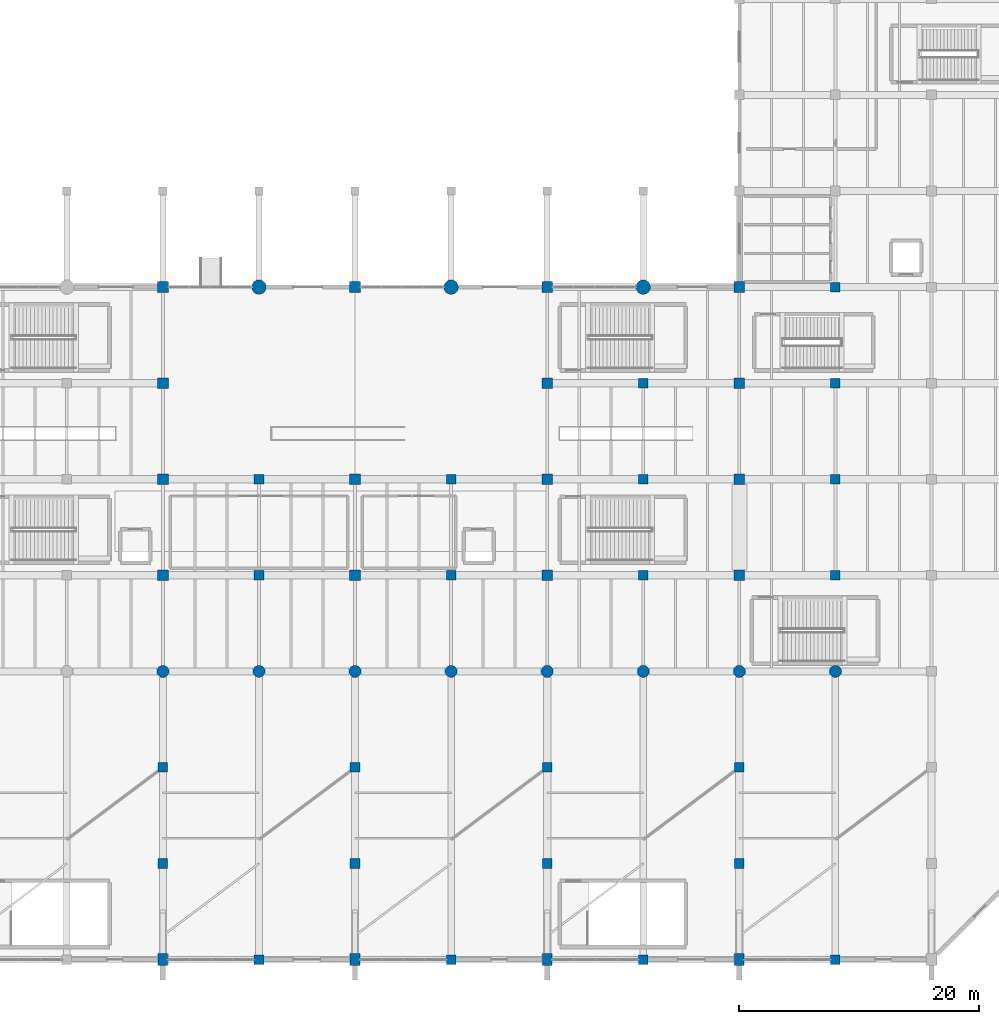
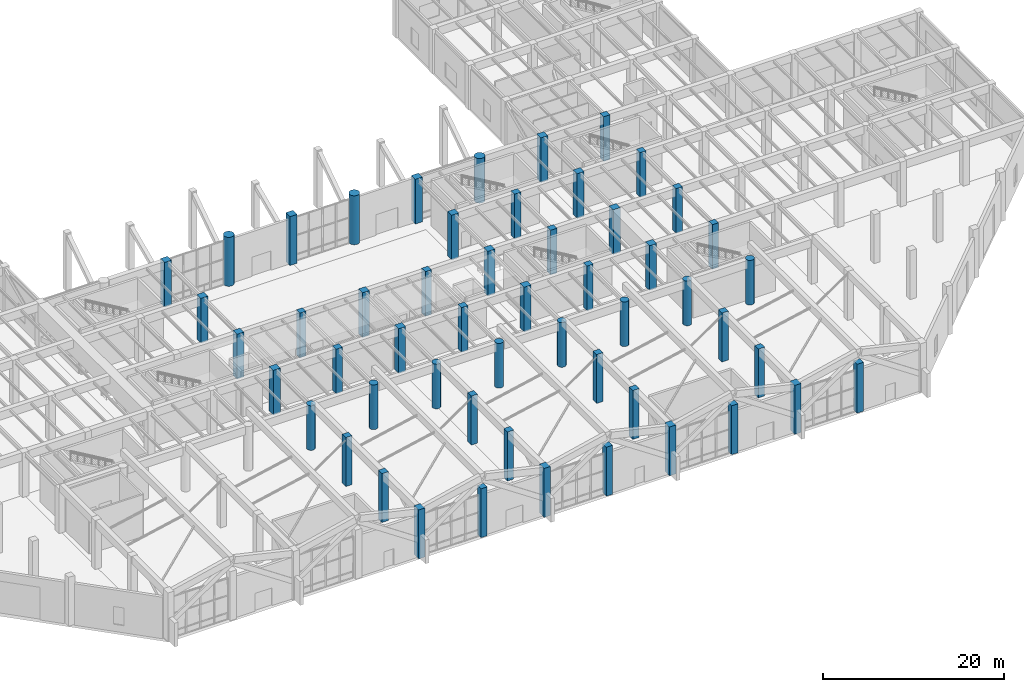
# One storey, part 3 of 51: 53 columns.
"""IFC4 building model written with IfcOpenShell, lengths in metres."""

from ifc_helpers import new_model, si_unit, direction, frame, origin, origin_2d, place, context, subcontext, project, spatial, rectangle, circle, extrude, material, material_profile, profile_set, type_object, element, save


model = new_model("IFC4")

# Units and contexts
model_context = context("Model", 3, precision=1e-05, world=origin(), true_north=direction((0.0, 1.0)))
body_context = subcontext(model_context, "Body", "Model", "MODEL_VIEW")
ifc_project = project(units=[si_unit("LENGTHUNIT", "METRE"), si_unit("AREAUNIT", "SQUARE_METRE"), si_unit("VOLUMEUNIT", "CUBIC_METRE"), si_unit("PLANEANGLEUNIT", "RADIAN"), si_unit("MASSUNIT", "GRAM", prefix="KILO")], contexts=[model_context])

# Site, building, storey
site_placement = place(None, origin())
site = spatial("IfcSite", under=ifc_project, at=site_placement, CompositionType="ELEMENT")
building_placement = place(site_placement, origin())
building = spatial("IfcBuilding", under=site, at=building_placement, Name="Varnela Railside Interchange", CompositionType="ELEMENT")
storey_placement = place(building_placement, origin())
storey = spatial("IfcBuildingStorey", under=building, at=storey_placement, Name="L00", CompositionType="ELEMENT", Elevation=0.0)

# Columns
ifc_material = material(Name="Concrete C50", Category="concrete")
ifc_material_profile_1 = material_profile(ifc_material, rectangle(XDim=0.800048828125, YDim=1.0, at=origin_2d()), Name="RC 800x1000")
ifc_profile_set_1 = profile_set([ifc_material_profile_1], Name="Concrete C50")
column_type_1 = type_object("IfcColumnType", Name="Bus Canopy Pier Column C-04", PredefinedType="COLUMN", material=ifc_profile_set_1)
for number, where, z_axis, x_axis, name in (
    (1, (68.0, 6.0, 0.0), (0.0, 0.0, 1.0), (1.0, 0.0, 0.0), "Column C-04 (L00) (CL-0560)"),
    (2, (84.0, 6.0, 0.0), (0.0, 0.0, 1.0), (1.0, 0.0, 0.0), "Column C-04 (L00) (CL-0400)"),
    (3, (100.0, 6.0, 0.0), (0.0, 0.0, 1.0), (1.0, 0.0, 0.0), "Column C-04 (L00) (CL-0412)"),
    (4, (116.0, 6.0, 0.0), (0.0, 0.0, 1.0), (1.0, 0.0, 0.0), "Column C-04 (L00) (CL-0426)"),
):
    element("IfcColumn", number, at=place(storey_placement, frame(where, z_axis=z_axis, x_axis=x_axis)), inside=storey, type_object=column_type_1, Name=name, PredefinedType="COLUMN", context=body_context, shape_type="SweptSolid", body=[
        extrude(rectangle(XDim=0.800048828125, YDim=1.0, at=origin_2d()), origin(), (0.0, 0.0, 1.0), 6.60009765625),
    ])
ifc_material_profile_2 = material_profile(ifc_material, circle(Radius=0.5, at=origin_2d()), Name="CIRC D1000")
ifc_profile_set_2 = profile_set([ifc_material_profile_2], Name="Concrete C50")
column_type_2 = type_object("IfcColumnType", Name="Bus Island Round Column C-12", PredefinedType="COLUMN", material=ifc_profile_set_2)
for number, where, z_axis, x_axis, name in (
    (5, (68.0, 30.0, 0.0), (0.0, 0.0, 1.0), (1.0, 0.0, 0.0), "Column C-12 (L00) (CL-0563)"),
    (6, (76.0, 30.0, 0.0), (0.0, 0.0, 1.0), (1.0, 0.0, 0.0), "Column C-12 (L00) (CL-0396)"),
    (7, (84.0, 30.0, 0.0), (0.0, 0.0, 1.0), (1.0, 0.0, 0.0), "Column C-12 (L00) (CL-0403)"),
    (8, (92.0, 30.0, 0.0), (0.0, 0.0, 1.0), (1.0, 0.0, 0.0), "Column C-12 (L00) (CL-0408)"),
    (9, (100.0, 30.0, 0.0), (0.0, 0.0, 1.0), (1.0, 0.0, 0.0), "Column C-12 (L00) (CL-0415)"),
    (10, (108.0, 30.0, 0.0), (0.0, 0.0, 1.0), (1.0, 0.0, 0.0), "Column C-12 (L00) (CL-0421)"),
    (11, (116.0, 30.0, 0.0), (0.0, 0.0, 1.0), (1.0, 0.0, 0.0), "Column C-12 (L00) (CL-0429)"),
    (12, (124.0, 30.0, 0.0), (0.0, 0.0, 1.0), (1.0, 0.0, 0.0), "Column C-12 (L00) (CL-0439)"),
):
    element("IfcColumn", number, at=place(storey_placement, frame(where, z_axis=z_axis, x_axis=x_axis)), inside=storey, type_object=column_type_2, Name=name, PredefinedType="COLUMN", context=body_context, shape_type="SweptSolid", body=[
        extrude(circle(Radius=0.5, at=origin_2d()), origin(), (0.0, 0.0, 1.0), 6.02001953125),
    ])
ifc_material_profile_3 = material_profile(ifc_material, circle(Radius=0.60009765625, at=origin_2d()), Name="CIRC D1200")
ifc_profile_set_3 = profile_set([ifc_material_profile_3], Name="Concrete C50")
column_type_3 = type_object("IfcColumnType", Name="Concourse Round Column C-13", PredefinedType="COLUMN", material=ifc_profile_set_3)
for number, where, z_axis, x_axis, name in (
    (13, (76.0, 62.0, 0.0), (0.0, 0.0, 1.0), (1.0, 0.0, 0.0), "Column C-13 (L00) (CL-0399)"),
    (14, (92.0, 62.0, 0.0), (0.0, 0.0, 1.0), (1.0, 0.0, 0.0), "Column C-13 (L00) (CL-0411)"),
):
    element("IfcColumn", number, at=place(storey_placement, frame(where, z_axis=z_axis, x_axis=x_axis)), inside=storey, type_object=column_type_3, Name=name, PredefinedType="COLUMN", context=body_context, shape_type="SweptSolid", body=[
        extrude(circle(Radius=0.60009765625, at=origin_2d()), origin(), (0.0, 0.0, 1.0), 6.60009765625),
    ])
column_1_placement = place(storey_placement, frame((108.0, 62.0, 0.0), z_axis=(0.0, 0.0, 1.0), x_axis=(1.0, 0.0, 0.0)))
element("IfcColumn", 15, at=column_1_placement, inside=storey, type_object=column_type_3, Name="Column C-13 (L00) (CL-0425)", PredefinedType="COLUMN", context=body_context, shape_type="SweptSolid", body=[
    extrude(circle(Radius=0.60009765625, at=origin_2d()), origin(), (0.0, 0.0, 1.0), 6.02001953125),
])
ifc_material_profile_4 = material_profile(ifc_material, rectangle(XDim=0.89990234375, YDim=0.89990234375, at=origin_2d()), Name="RC 900x900")
ifc_profile_set_4 = profile_set([ifc_material_profile_4], Name="Concrete C50")
column_type_4 = type_object("IfcColumnType", Name="Plinth Square Column C-05", PredefinedType="COLUMN", material=ifc_profile_set_4)
for number, where, z_axis, x_axis, name in (
    (16, (68.0, 38.0, 0.0), (0.0, 0.0, 1.0), (1.0, 0.0, 0.0), "Column C-05 (L00) (CL-0564)"),
    (17, (68.0, 46.0, 0.0), (0.0, 0.0, 1.0), (1.0, 0.0, 0.0), "Column C-05 (L00) (CL-0565)"),
    (18, (68.0, 54.0, 0.0), (0.0, 0.0, 1.0), (1.0, 0.0, 0.0), "Column C-05 (L00) (CL-0566)"),
    (19, (68.0, 62.0, 0.0), (0.0, 0.0, 1.0), (1.0, 0.0, 0.0), "Column C-05 (L00) (CL-0567)"),
    (20, (84.0, 38.0, 0.0), (0.0, 0.0, 1.0), (1.0, 0.0, 0.0), "Column C-05 (L00) (CL-0404)"),
    (21, (84.0, 46.0, 0.0), (0.0, 0.0, 1.0), (1.0, 0.0, 0.0), "Column C-05 (L00) (CL-0405)"),
):
    element("IfcColumn", number, at=place(storey_placement, frame(where, z_axis=z_axis, x_axis=x_axis)), inside=storey, type_object=column_type_4, Name=name, PredefinedType="COLUMN", context=body_context, shape_type="SweptSolid", body=[
        extrude(rectangle(XDim=0.89990234375, YDim=0.89990234375, at=origin_2d()), origin(), (0.0, 0.0, 1.0), 6.02001953125),
    ])
column_2_placement = place(storey_placement, frame((84.0, 62.0, 0.0), z_axis=(0.0, 0.0, 1.0), x_axis=(1.0, 0.0, 0.0)))
element("IfcColumn", 22, at=column_2_placement, inside=storey, type_object=column_type_4, Name="Column C-05 (L00) (CL-0406)", PredefinedType="COLUMN", context=body_context, shape_type="SweptSolid", body=[
    extrude(rectangle(XDim=0.89990234375, YDim=0.89990234375, at=origin_2d()), origin(), (0.0, 0.0, 1.0), 6.60009765625),
])
for number, where, z_axis, x_axis, name in (
    (23, (100.0, 38.0, 0.0), (0.0, 0.0, 1.0), (1.0, 0.0, 0.0), "Column C-05 (L00) (CL-0416)"),
    (24, (100.0, 46.0, 0.0), (0.0, 0.0, 1.0), (1.0, 0.0, 0.0), "Column C-05 (L00) (CL-0417)"),
    (25, (100.0, 54.0, 0.0), (0.0, 0.0, 1.0), (1.0, 0.0, 0.0), "Column C-05 (L00) (CL-0418)"),
    (26, (100.0, 62.0, 0.0), (0.0, 0.0, 1.0), (1.0, 0.0, 0.0), "Column C-05 (L00) (CL-0419)"),
    (27, (116.0, 38.0, 0.0), (0.0, 0.0, 1.0), (1.0, 0.0, 0.0), "Column C-05 (L00) (CL-0430)"),
    (28, (116.0, 46.0, 0.0), (0.0, 0.0, 1.0), (1.0, 0.0, 0.0), "Column C-05 (L00) (CL-0431)"),
    (29, (116.0, 54.0, 0.0), (0.0, 0.0, 1.0), (1.0, 0.0, 0.0), "Column C-05 (L00) (CL-0432)"),
    (30, (116.0, 62.0, 0.0), (0.0, 0.0, 1.0), (1.0, 0.0, 0.0), "Column C-05 (L00) (CL-0433)"),
):
    element("IfcColumn", number, at=place(storey_placement, frame(where, z_axis=z_axis, x_axis=x_axis)), inside=storey, type_object=column_type_4, Name=name, PredefinedType="COLUMN", context=body_context, shape_type="SweptSolid", body=[
        extrude(rectangle(XDim=0.89990234375, YDim=0.89990234375, at=origin_2d()), origin(), (0.0, 0.0, 1.0), 6.02001953125),
    ])
ifc_material_profile_5 = material_profile(ifc_material, rectangle(XDim=0.800048828125, YDim=0.800048828125, at=origin_2d()), Name="RC 800x800")
ifc_profile_set_5 = profile_set([ifc_material_profile_5], Name="Concrete C50")
column_type_5 = type_object("IfcColumnType", Name="Podium Concourse Column C-03", PredefinedType="COLUMN", material=ifc_profile_set_5)
for number, where, z_axis, x_axis, name in (
    (31, (68.0, 14.0, 0.0), (0.0, 0.0, 1.0), (1.0, 0.0, 0.0), "Column C-03 (L00) (CL-0561)"),
    (32, (68.0, 22.0, 0.0), (0.0, 0.0, 1.0), (1.0, 0.0, 0.0), "Column C-03 (L00) (CL-0562)"),
    (33, (76.0, 6.0, 0.0), (0.0, 0.0, 1.0), (1.0, 0.0, 0.0), "Column C-03 (L00) (CL-0395)"),
):
    element("IfcColumn", number, at=place(storey_placement, frame(where, z_axis=z_axis, x_axis=x_axis)), inside=storey, type_object=column_type_5, Name=name, PredefinedType="COLUMN", context=body_context, shape_type="SweptSolid", body=[
        extrude(rectangle(XDim=0.800048828125, YDim=0.800048828125, at=origin_2d()), origin(), (0.0, 0.0, 1.0), 6.60009765625),
    ])
for number, where, z_axis, x_axis, name in (
    (34, (76.0, 38.0, 0.0), (0.0, 0.0, 1.0), (1.0, 0.0, 0.0), "Column C-03 (L00) (CL-0397)"),
    (35, (76.0, 46.0, 0.0), (0.0, 0.0, 1.0), (1.0, 0.0, 0.0), "Column C-03 (L00) (CL-0398)"),
):
    element("IfcColumn", number, at=place(storey_placement, frame(where, z_axis=z_axis, x_axis=x_axis)), inside=storey, type_object=column_type_5, Name=name, PredefinedType="COLUMN", context=body_context, shape_type="SweptSolid", body=[
        extrude(rectangle(XDim=0.800048828125, YDim=0.800048828125, at=origin_2d()), origin(), (0.0, 0.0, 1.0), 6.02001953125),
    ])
for number, where, z_axis, x_axis, name in (
    (36, (84.0, 14.0, 0.0), (0.0, 0.0, 1.0), (1.0, 0.0, 0.0), "Column C-03 (L00) (CL-0401)"),
    (37, (84.0, 22.0, 0.0), (0.0, 0.0, 1.0), (1.0, 0.0, 0.0), "Column C-03 (L00) (CL-0402)"),
    (38, (92.0, 6.0, 0.0), (0.0, 0.0, 1.0), (1.0, 0.0, 0.0), "Column C-03 (L00) (CL-0407)"),
):
    element("IfcColumn", number, at=place(storey_placement, frame(where, z_axis=z_axis, x_axis=x_axis)), inside=storey, type_object=column_type_5, Name=name, PredefinedType="COLUMN", context=body_context, shape_type="SweptSolid", body=[
        extrude(rectangle(XDim=0.800048828125, YDim=0.800048828125, at=origin_2d()), origin(), (0.0, 0.0, 1.0), 6.60009765625),
    ])
for number, where, z_axis, x_axis, name in (
    (39, (92.0, 38.0, 0.0), (0.0, 0.0, 1.0), (1.0, 0.0, 0.0), "Column C-03 (L00) (CL-0409)"),
    (40, (92.0, 46.0, 0.0), (0.0, 0.0, 1.0), (1.0, 0.0, 0.0), "Column C-03 (L00) (CL-0410)"),
):
    element("IfcColumn", number, at=place(storey_placement, frame(where, z_axis=z_axis, x_axis=x_axis)), inside=storey, type_object=column_type_5, Name=name, PredefinedType="COLUMN", context=body_context, shape_type="SweptSolid", body=[
        extrude(rectangle(XDim=0.800048828125, YDim=0.800048828125, at=origin_2d()), origin(), (0.0, 0.0, 1.0), 6.02001953125),
    ])
for number, where, z_axis, x_axis, name in (
    (41, (100.0, 14.0, 0.0), (0.0, 0.0, 1.0), (1.0, 0.0, 0.0), "Column C-03 (L00) (CL-0413)"),
    (42, (100.0, 22.0, 0.0), (0.0, 0.0, 1.0), (1.0, 0.0, 0.0), "Column C-03 (L00) (CL-0414)"),
    (43, (108.0, 6.0, 0.0), (0.0, 0.0, 1.0), (1.0, 0.0, 0.0), "Column C-03 (L00) (CL-0420)"),
):
    element("IfcColumn", number, at=place(storey_placement, frame(where, z_axis=z_axis, x_axis=x_axis)), inside=storey, type_object=column_type_5, Name=name, PredefinedType="COLUMN", context=body_context, shape_type="SweptSolid", body=[
        extrude(rectangle(XDim=0.800048828125, YDim=0.800048828125, at=origin_2d()), origin(), (0.0, 0.0, 1.0), 6.60009765625),
    ])
for number, where, z_axis, x_axis, name in (
    (44, (108.0, 38.0, 0.0), (0.0, 0.0, 1.0), (1.0, 0.0, 0.0), "Column C-03 (L00) (CL-0422)"),
    (45, (108.0, 46.0, 0.0), (0.0, 0.0, 1.0), (1.0, 0.0, 0.0), "Column C-03 (L00) (CL-0423)"),
    (46, (108.0, 54.0, 0.0), (0.0, 0.0, 1.0), (1.0, 0.0, 0.0), "Column C-03 (L00) (CL-0424)"),
):
    element("IfcColumn", number, at=place(storey_placement, frame(where, z_axis=z_axis, x_axis=x_axis)), inside=storey, type_object=column_type_5, Name=name, PredefinedType="COLUMN", context=body_context, shape_type="SweptSolid", body=[
        extrude(rectangle(XDim=0.800048828125, YDim=0.800048828125, at=origin_2d()), origin(), (0.0, 0.0, 1.0), 6.02001953125),
    ])
for number, where, z_axis, x_axis, name in (
    (47, (116.0, 14.0, 0.0), (0.0, 0.0, 1.0), (1.0, 0.0, 0.0), "Column C-03 (L00) (CL-0427)"),
    (48, (116.0, 22.0, 0.0), (0.0, 0.0, 1.0), (1.0, 0.0, 0.0), "Column C-03 (L00) (CL-0428)"),
    (49, (124.0, 6.0, 0.0), (0.0, 0.0, 1.0), (1.0, 0.0, 0.0), "Column C-03 (L00) (CL-0438)"),
):
    element("IfcColumn", number, at=place(storey_placement, frame(where, z_axis=z_axis, x_axis=x_axis)), inside=storey, type_object=column_type_5, Name=name, PredefinedType="COLUMN", context=body_context, shape_type="SweptSolid", body=[
        extrude(rectangle(XDim=0.800048828125, YDim=0.800048828125, at=origin_2d()), origin(), (0.0, 0.0, 1.0), 6.60009765625),
    ])
for number, where, z_axis, x_axis, name in (
    (50, (124.0, 38.0, 0.0), (0.0, 0.0, 1.0), (1.0, 0.0, 0.0), "Column C-03 (L00) (CL-0440)"),
    (51, (124.0, 46.0, 0.0), (0.0, 0.0, 1.0), (1.0, 0.0, 0.0), "Column C-03 (L00) (CL-0441)"),
    (52, (124.0, 54.0, 0.0), (0.0, 0.0, 1.0), (1.0, 0.0, 0.0), "Column C-03 (L00) (CL-0442)"),
    (53, (124.0, 62.0, 0.0), (0.0, 0.0, 1.0), (1.0, 0.0, 0.0), "Column C-03 (L00) (CL-0443)"),
):
    element("IfcColumn", number, at=place(storey_placement, frame(where, z_axis=z_axis, x_axis=x_axis)), inside=storey, type_object=column_type_5, Name=name, PredefinedType="COLUMN", context=body_context, shape_type="SweptSolid", body=[
        extrude(rectangle(XDim=0.800048828125, YDim=0.800048828125, at=origin_2d()), origin(), (0.0, 0.0, 1.0), 6.02001953125),
    ])

save(model, "model.ifc")
